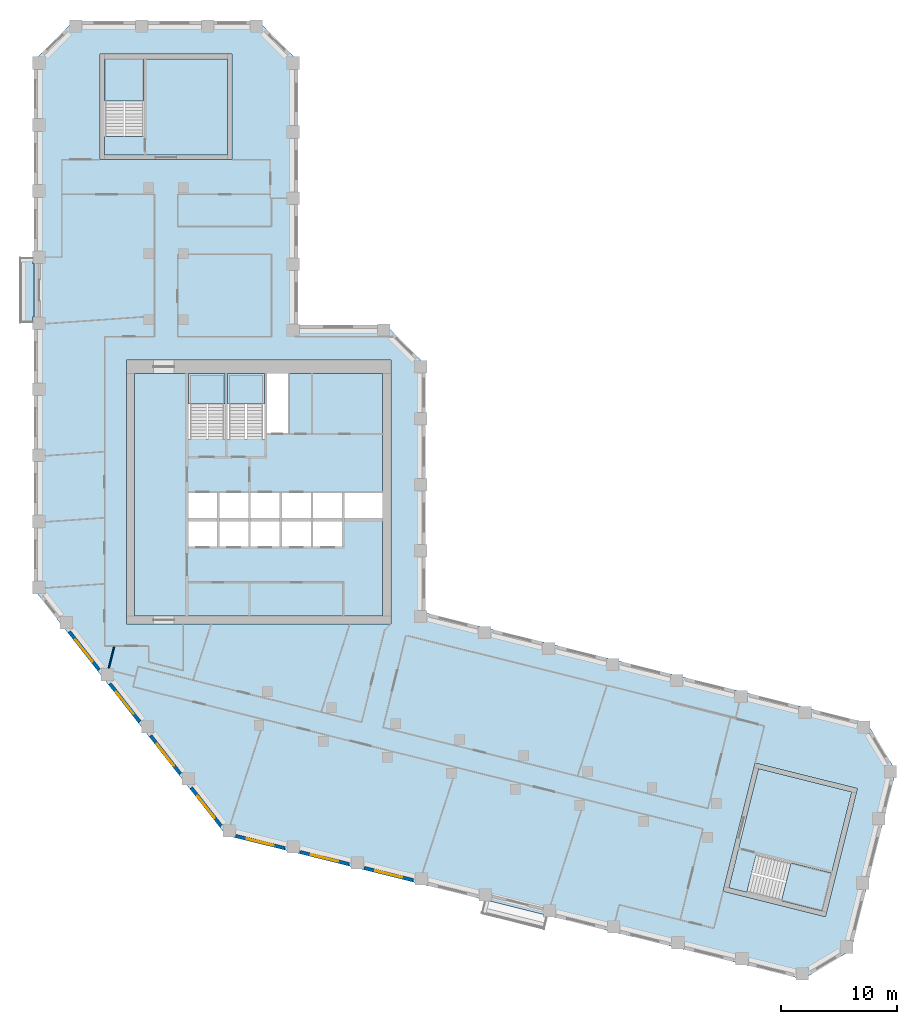
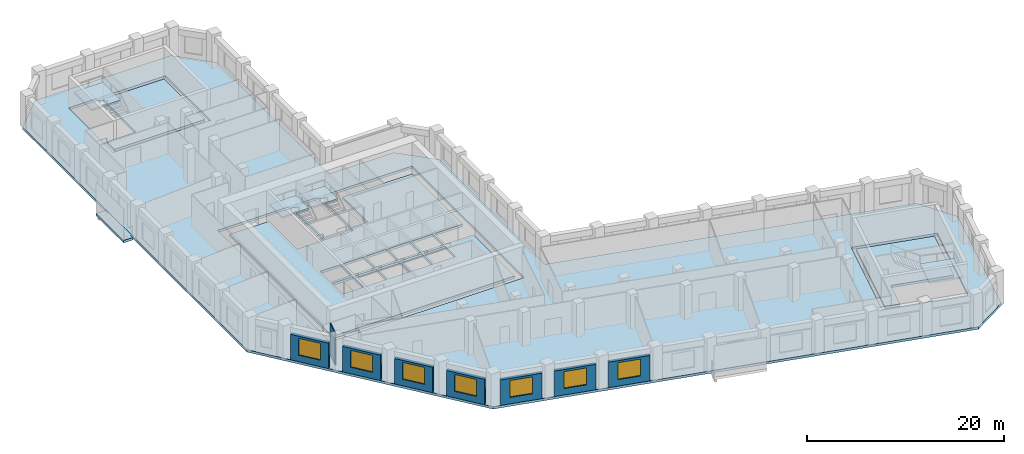
# One storey, part 2 of 10: 9 slabs, 8 walls, 7 windows, 7 openings, 4 elements without a shape of their own.
"""IFC4 building model written with IfcOpenShell, lengths in metres."""

from ifc_helpers import new_model, si_unit, direction, frame, frame_2d, origin, place, context, subcontext, project, spatial, polyline, rectangle, outline, extrude, material, layer, layer_set, type_object, element, fill, aggregate, save


model = new_model("IFC4")

# Units and contexts
model_context = context("Model", 3, precision=1e-05, world=origin(), true_north=direction((0.0, 1.0)))
body_context = subcontext(model_context, "Body", "Model", "MODEL_VIEW")
ifc_project = project(units=[si_unit("LENGTHUNIT", "METRE"), si_unit("AREAUNIT", "SQUARE_METRE"), si_unit("VOLUMEUNIT", "CUBIC_METRE"), si_unit("PLANEANGLEUNIT", "RADIAN"), si_unit("MASSUNIT", "GRAM", prefix="KILO")], contexts=[model_context])

# Site, building, storey
site_placement = place(None, origin())
site = spatial("IfcSite", under=ifc_project, at=site_placement, CompositionType="ELEMENT")
building_placement = place(site_placement, origin())
building = spatial("IfcBuilding", under=site, at=building_placement, Name="Meshkara Civic Tower", CompositionType="ELEMENT")
storey_placement = place(building_placement, frame((0.0, 0.0, 238.199951171875)))
storey = spatial("IfcBuildingStorey", under=building, at=storey_placement, Name="L54", CompositionType="ELEMENT", Elevation=238.199951171875)

# Slabs
ifc_material_1 = material(Name="Concrete C40", Category="concrete")
ifc_layer_1 = layer(ifc_material_1, 0.300048828125)
ifc_layer_set_1 = layer_set([ifc_layer_1], Name="BALCONY SLAB")
slab_type_1 = type_object("IfcSlabType", Name="BALCONY SLAB", PredefinedType="FLOOR", material=ifc_layer_set_1)
slab_1_placement = place(storey_placement, frame((0.0, 0.0, -0.300048828125)))
element("IfcSlab", 1, at=slab_1_placement, inside=storey, type_object=slab_type_1, Name="Balcony slab", PredefinedType="FLOOR", context=body_context, shape_type="SweptSolid", body=[
    extrude(outline(polyline([(-1.199951171875, 40.114990234375), (-1.199951171875, 45.695068359375), (-0.10009765625, 45.695068359375), (-0.10009765625, 45.205078125), (0.0, 45.205078125), (0.0, 40.60498046875), (-0.10009765625, 40.60498046875), (-0.10009765625, 40.114990234375), (-1.199951171875, 40.114990234375)])), origin(), (0.0, 0.0, 1.0), 0.300048828125),
])
ifc_material_2 = material(Name="Concrete C40/50", Category="concrete")
ifc_layer_2 = layer(ifc_material_2, 0.300048828125)
ifc_layer_set_2 = layer_set([ifc_layer_2], Name="Core floor slab 300 C40/50")
slab_type_2 = type_object("IfcSlabType", Name="Core floor slab 300 C40/50", PredefinedType="FLOOR", material=ifc_layer_set_2)
slab_2_placement = place(storey_placement, frame((0.0, 0.0, -0.300048828125)))
element("IfcSlab", 2, at=slab_2_placement, inside=storey, type_object=slab_type_2, Name="Core floor K", PredefinedType="FLOOR", context=body_context, shape_type="SweptSolid", body=[
    extrude(outline(polyline([(8.699951171875, 35.699951171875), (13.35009765625, 35.699951171875), (13.35009765625, 30.00146484375), (16.5, 30.00146484375), (16.5, 35.699951171875), (16.699951171875, 35.699951171875), (16.699951171875, 30.00146484375), (19.89990234375, 30.00146484375), (19.89990234375, 35.699951171875), (20.10009765625, 35.699951171875), (20.10009765625, 30.574951171875), (21.925048828125, 30.574951171875), (21.925048828125, 35.699951171875), (30.10009765625, 35.699951171875), (30.10009765625, 25.39990234375), (26.800048828125, 25.39990234375), (26.800048828125, 23.25), (30.10009765625, 23.25), (30.10009765625, 14.800048828125), (8.699951171875, 14.800048828125), (8.699951171875, 35.699951171875)]), holes=[polyline([(15.800048828125, 22.949951171875), (13.35009765625, 22.949951171875), (13.35009765625, 20.800048828125), (15.800048828125, 20.800048828125), (15.800048828125, 22.949951171875)]), polyline([(16.0, 22.949951171875), (16.0, 20.800048828125), (18.5, 20.800048828125), (18.5, 22.949951171875), (16.0, 22.949951171875)]), polyline([(18.699951171875, 22.949951171875), (18.699951171875, 20.800048828125), (21.199951171875, 20.800048828125), (21.199951171875, 22.949951171875), (18.699951171875, 22.949951171875)]), polyline([(15.800048828125, 23.25), (15.800048828125, 25.39990234375), (13.35009765625, 25.39990234375), (13.35009765625, 23.25), (15.800048828125, 23.25)]), polyline([(16.0, 25.39990234375), (16.0, 23.25), (18.5, 23.25), (18.5, 25.39990234375), (16.0, 25.39990234375)]), polyline([(23.89990234375, 20.800048828125), (23.89990234375, 22.949951171875), (21.39990234375, 22.949951171875), (21.39990234375, 20.800048828125), (23.89990234375, 20.800048828125)]), polyline([(24.10009765625, 20.800048828125), (26.60009765625, 20.800048828125), (26.60009765625, 22.949951171875), (24.10009765625, 22.949951171875), (24.10009765625, 20.800048828125)]), polyline([(18.699951171875, 25.39990234375), (18.699951171875, 23.25), (21.199951171875, 23.25), (21.199951171875, 25.39990234375), (18.699951171875, 25.39990234375)]), polyline([(21.39990234375, 23.25), (23.89990234375, 23.25), (23.89990234375, 25.39990234375), (21.39990234375, 25.39990234375), (21.39990234375, 23.25)]), polyline([(24.10009765625, 23.25), (26.60009765625, 23.25), (26.60009765625, 25.39990234375), (24.10009765625, 25.39990234375), (24.10009765625, 23.25)])]), origin(), (0.0, 0.0, 1.0), 0.300048828125),
])
slab_3_placement = place(storey_placement, frame((0.0, 0.0, -0.300048828125)))
element("IfcSlab", 3, at=slab_3_placement, inside=storey, type_object=slab_type_2, Name="Core floor EA", PredefinedType="FLOOR", context=body_context, shape_type="SweptSolid", body=[
    extrude(outline(polyline([(16.699951171875, 54.570068359375), (16.699951171875, 62.8701171875), (9.5, 62.8701171875), (9.5, 56.17138671875), (6.10009765625, 56.17138671875), (6.10009765625, 54.570068359375), (16.699951171875, 54.570068359375)])), origin(), (0.0, 0.0, 1.0), 0.300048828125),
])
slab_4_placement = place(storey_placement, frame((0.0, 0.0, -0.300048828125)))
element("IfcSlab", 4, at=slab_4_placement, inside=storey, type_object=slab_type_2, Name="Core floor EB", PredefinedType="FLOOR", context=body_context, shape_type="SweptSolid", body=[
    extrude(outline(polyline([(62.519775390625, 1.623291015625), (70.5732421875, -0.384765625), (68.83154296875, -7.370849609375), (62.33203125, -5.750244140625), (61.50927734375, -9.04931640625), (59.95556640625, -8.661865234375), (62.519775390625, 1.623291015625)])), origin(), (0.0, 0.0, 1.0), 0.300048828125),
])

# Stair, slab
ifc_material_3 = material(Name="Precast concrete C40/50", Category="concrete")
stair_type_1 = type_object("IfcStairType", Name="Exit stair half-turn 24 risers precast", PredefinedType="HALF_TURN_STAIR", material=ifc_material_3)
stair_1_placement = place(storey_placement, origin())
stair_1 = element("IfcStair", 5, at=stair_1_placement, inside=storey, type_object=stair_type_1, Name="L54 exit stair 1", PredefinedType="HALF_TURN_STAIR")
ifc_material_4 = material(Name="Precast concrete C40/50", Category="concrete")
ifc_layer_3 = layer(ifc_material_4, 0.199951171875)
ifc_layer_set_3 = layer_set([ifc_layer_3], Name="Exit stair landing 200")
slab_type_3 = type_object("IfcSlabType", Name="Exit stair landing 200", PredefinedType="LANDING", material=ifc_layer_set_3)
slab_5_placement = place(storey_placement, frame((0.0, 0.0, 1.900146484375)))
slab_5 = element("IfcSlab", 6, at=slab_5_placement, type_object=slab_type_3, Name="ST1 landing 1", PredefinedType="LANDING", context=body_context, shape_type="SweptSolid", body=[
    extrude(outline(polyline([(16.5, 33.07861328125), (16.5, 35.699951171875), (13.35009765625, 35.699951171875), (13.35009765625, 33.07861328125), (16.5, 33.07861328125)])), origin(), (0.0, 0.0, 1.0), 0.199951171875),
])
aggregate(stair_1, [slab_5])

stair_2_placement = place(storey_placement, origin())
stair_2 = element("IfcStair", 7, at=stair_2_placement, inside=storey, type_object=stair_type_1, Name="L54 exit stair 2", PredefinedType="HALF_TURN_STAIR")
slab_6_placement = place(storey_placement, frame((0.0, 0.0, 1.900146484375)))
slab_6 = element("IfcSlab", 8, at=slab_6_placement, type_object=slab_type_3, Name="ST2 landing 1", PredefinedType="LANDING", context=body_context, shape_type="SweptSolid", body=[
    extrude(outline(polyline([(19.89990234375, 33.07861328125), (19.89990234375, 35.699951171875), (16.699951171875, 35.699951171875), (16.699951171875, 33.07861328125), (19.89990234375, 33.07861328125)])), origin(), (0.0, 0.0, 1.0), 0.199951171875),
])
aggregate(stair_2, [slab_6])

ifc_material_5 = material(Name="Precast concrete C40/50", Category="concrete")
stair_type_2 = type_object("IfcStairType", Name="Exit stair half-turn 24 risers 1600 precast", PredefinedType="HALF_TURN_STAIR", material=ifc_material_5)
stair_3_placement = place(storey_placement, origin())
stair_3 = element("IfcStair", 9, at=stair_3_placement, inside=storey, type_object=stair_type_2, Name="L54 exit stair A from L50", PredefinedType="HALF_TURN_STAIR")
slab_7_placement = place(storey_placement, frame((0.0, 0.0, 1.900146484375)))
slab_7 = element("IfcSlab", 10, at=slab_7_placement, type_object=slab_type_3, Name="ESA4 landing 1", PredefinedType="LANDING", context=body_context, shape_type="SweptSolid", body=[
    extrude(outline(polyline([(9.5, 59.24853515625), (9.5, 62.8701171875), (6.10009765625, 62.8701171875), (6.10009765625, 59.24853515625), (9.5, 59.24853515625)])), origin(), (0.0, 0.0, 1.0), 0.199951171875),
])
aggregate(stair_3, [slab_7])

stair_4_placement = place(storey_placement, origin())
stair_4 = element("IfcStair", 11, at=stair_4_placement, inside=storey, type_object=stair_type_2, Name="L54 exit stair B from L50", PredefinedType="HALF_TURN_STAIR")
slab_8_placement = place(storey_placement, frame((0.0, 0.0, 1.900146484375)))
slab_8 = element("IfcSlab", 12, at=slab_8_placement, type_object=slab_type_3, Name="ESB4 landing 1", PredefinedType="LANDING", context=body_context, shape_type="SweptSolid", body=[
    extrude(outline(polyline([(64.49462890625, -9.794677734375), (68.0087890625, -10.67138671875), (68.83203125, -7.371337890625), (65.318115234375, -6.49462890625), (64.49462890625, -9.794677734375)])), origin(), (0.0, 0.0, 1.0), 0.199951171875),
])
aggregate(stair_4, [slab_8])

# Slab
ifc_material_6 = material(Name="Concrete C50", Category="concrete")
ifc_layer_4 = layer(ifc_material_6, 0.300048828125)
ifc_layer_set_4 = layer_set([ifc_layer_4], Name="Post-tensioned flat slab 300 C50")
slab_type_4 = type_object("IfcSlabType", Name="Post-tensioned flat slab 300 C50", PredefinedType="FLOOR", material=ifc_layer_set_4)
slab_9_placement = place(storey_placement, frame((0.0, 0.0, -0.300048828125)))
element("IfcSlab", 13, at=slab_9_placement, inside=storey, type_object=slab_type_4, Name="Post-tensioned flat slab L54", PredefinedType="FLOOR", context=body_context, shape_type="SweptSolid", body=[
    extrude(outline(polyline([(70.513916015625, -14.055908203125), (66.367919921875, -16.547119140625), (16.592041015625, -4.136962890625), (0.0, 17.10009765625), (0.0, 62.699951171875), (3.419921875, 66.1201171875), (19.3798828125, 66.1201171875), (22.800048828125, 62.699951171875), (22.800048828125, 39.89990234375), (30.3798828125, 39.89990234375), (33.800048828125, 36.47998046875), (33.800048828125, 15.071044921875), (71.884033203125, 5.574951171875), (74.375, 1.429931640625), (70.513916015625, -14.055908203125)]), holes=[polyline([(68.300048828125, -11.155029296875), (71.05810546875, -0.093017578125), (62.22802734375, 2.10791015625), (59.470947265625, -8.952880859375), (68.300048828125, -11.155029296875)]), polyline([(8.0, 14.10009765625), (30.800048828125, 14.10009765625), (30.800048828125, 36.89990234375), (8.0, 36.89990234375), (8.0, 14.10009765625)]), polyline([(5.699951171875, 63.27001953125), (5.699951171875, 54.169921875), (17.10009765625, 54.169921875), (17.10009765625, 63.27001953125), (5.699951171875, 63.27001953125)])]), origin(), (0.0, 0.0, 1.0), 0.300048828125),
])

# Wall, opening, window
ifc_material_7 = material(Name="Insulated infill panel with bronze anodised aluminium cladding", Category="aluminium")
ifc_layer_5 = layer(ifc_material_7, 0.300048828125)
ifc_layer_set_5 = layer_set([ifc_layer_5], Name="EXTERNAL INFILL WALL 300")
wall_type_1 = type_object("IfcWallType", Name="EXTERNAL INFILL WALL 300", PredefinedType="SOLIDWALL", material=ifc_layer_set_5)
wall_1_placement = place(storey_placement, frame((3.052978515625, 13.43603515625, 0.0), z_axis=(0.0, 0.0, 1.0), x_axis=(0.615699893917, -0.787980736205, 0.0)))
wall_1 = element("IfcWall", 14, at=wall_1_placement, inside=storey, type_object=wall_type_1, Name="External wall", PredefinedType="SOLIDWALL", context=body_context, shape_type="SweptSolid", body=[
    extrude(rectangle(XDim=4.156494140625, YDim=0.300048828125, at=frame_2d((2.078125, 0.0))), origin(), (0.0, 0.0, 1.0), 3.150146484375),
])
opening_1_placement = place(wall_1_placement, frame((0.8779296875, 0.0, 0.800048828125)))
opening_1 = element("IfcOpeningElement", 15, at=opening_1_placement, cuts=wall_1, Name="Opening W7", PredefinedType="OPENING", context=body_context, shape_type="SweptSolid", body=[
    extrude(rectangle(XDim=2.39990234375, YDim=2.10009765625, at=frame_2d((1.199951171875, 1.050048828125))), frame((0.0, 0.159912109375, 0.0), z_axis=(0.0, -1.0, 0.0), x_axis=(1.0, 0.0, 0.0)), (0.0, 0.0, 1.0), 0.320068359375),
])
ifc_material_8 = material(Name="Tinted double glazing", Category="glass")
window_type = type_object("IfcWindowType", Name="WINDOW 2400x2100", PartitioningType="DOUBLE_PANEL_VERTICAL", PredefinedType="WINDOW", material=ifc_material_8)
window_1_placement = place(opening_1_placement, origin())
window_1 = element("IfcWindow", 16, at=window_1_placement, inside=storey, type_object=window_type, Name="Window", OverallHeight=2.10009765625, OverallWidth=2.39990234375, PartitioningType="DOUBLE_PANEL_VERTICAL", PredefinedType="WINDOW", context=body_context, shape_type="SweptSolid", body=[
    extrude(rectangle(XDim=2.39990234375, YDim=2.10009765625, at=frame_2d((1.199951171875, 1.050048828125))), frame((0.0, 0.030029296875, 0.0), z_axis=(0.0, -1.0, 0.0), x_axis=(1.0, 0.0, 0.0)), (0.0, 0.0, 1.0), 0.06005859375),
])
fill(opening_1, window_1)

wall_2_placement = place(storey_placement, frame((6.56201171875, 8.944091796875, 0.0), z_axis=(0.0, 0.0, 1.0), x_axis=(0.615699893917, -0.787980736205, 0.0)))
wall_2 = element("IfcWall", 17, at=wall_2_placement, inside=storey, type_object=wall_type_1, Name="External wall", PredefinedType="SOLIDWALL", context=body_context, shape_type="SweptSolid", body=[
    extrude(rectangle(XDim=4.156494140625, YDim=0.300048828125, at=frame_2d((2.078125, 0.0))), origin(), (0.0, 0.0, 1.0), 3.150146484375),
])
opening_2_placement = place(wall_2_placement, frame((0.8779296875, 0.0, 0.800048828125)))
opening_2 = element("IfcOpeningElement", 18, at=opening_2_placement, cuts=wall_2, Name="Opening W7", PredefinedType="OPENING", context=body_context, shape_type="SweptSolid", body=[
    extrude(rectangle(XDim=2.39990234375, YDim=2.10009765625, at=frame_2d((1.199951171875, 1.050048828125))), frame((0.0, 0.159912109375, 0.0), z_axis=(0.0, -1.0, 0.0), x_axis=(1.0, 0.0, 0.0)), (0.0, 0.0, 1.0), 0.320068359375),
])
window_2_placement = place(opening_2_placement, origin())
window_2 = element("IfcWindow", 19, at=window_2_placement, inside=storey, type_object=window_type, Name="Window", OverallHeight=2.10009765625, OverallWidth=2.39990234375, PartitioningType="DOUBLE_PANEL_VERTICAL", PredefinedType="WINDOW", context=body_context, shape_type="SweptSolid", body=[
    extrude(rectangle(XDim=2.39990234375, YDim=2.10009765625, at=frame_2d((1.199951171875, 1.050048828125))), frame((0.0, 0.030029296875, 0.0), z_axis=(0.0, -1.0, 0.0), x_axis=(1.0, 0.0, 0.0)), (0.0, 0.0, 1.0), 0.06005859375),
])
fill(opening_2, window_2)

wall_3_placement = place(storey_placement, frame((10.072021484375, 4.451904296875, 0.0), z_axis=(0.0, 0.0, 1.0), x_axis=(0.615660006568, -0.788011901124, 0.0)))
wall_3 = element("IfcWall", 20, at=wall_3_placement, inside=storey, type_object=wall_type_1, Name="External wall", PredefinedType="SOLIDWALL", context=body_context, shape_type="SweptSolid", body=[
    extrude(rectangle(XDim=4.15478515625, YDim=0.300048828125, at=frame_2d((2.077392578125, 0.0))), origin(), (0.0, 0.0, 1.0), 3.150146484375),
])
opening_3_placement = place(wall_3_placement, frame((0.8779296875, 0.0, 0.800048828125)))
opening_3 = element("IfcOpeningElement", 21, at=opening_3_placement, cuts=wall_3, Name="Opening W7", PredefinedType="OPENING", context=body_context, shape_type="SweptSolid", body=[
    extrude(rectangle(XDim=2.39990234375, YDim=2.10009765625, at=frame_2d((1.199951171875, 1.050048828125))), frame((0.0, 0.159912109375, 0.0), z_axis=(0.0, -1.0, 0.0), x_axis=(1.0, 0.0, 0.0)), (0.0, 0.0, 1.0), 0.320068359375),
])
window_3_placement = place(opening_3_placement, origin())
window_3 = element("IfcWindow", 22, at=window_3_placement, inside=storey, type_object=window_type, Name="Window", OverallHeight=2.10009765625, OverallWidth=2.39990234375, PartitioningType="DOUBLE_PANEL_VERTICAL", PredefinedType="WINDOW", context=body_context, shape_type="SweptSolid", body=[
    extrude(rectangle(XDim=2.39990234375, YDim=2.10009765625, at=frame_2d((1.199951171875, 1.050048828125))), frame((0.0, 0.030029296875, 0.0), z_axis=(0.0, -1.0, 0.0), x_axis=(1.0, 0.0, 0.0)), (0.0, 0.0, 1.0), 0.06005859375),
])
fill(opening_3, window_3)

wall_4_placement = place(storey_placement, frame((13.5810546875, -0.0390625, 0.0), z_axis=(0.0, 0.0, 1.0), x_axis=(0.615545986363, -0.788100969846, 0.0)))
wall_4 = element("IfcWall", 23, at=wall_4_placement, inside=storey, type_object=wall_type_1, Name="External wall", PredefinedType="SOLIDWALL", context=body_context, shape_type="SweptSolid", body=[
    extrude(rectangle(XDim=4.155517578125, YDim=0.300048828125, at=frame_2d((2.07763671875, 0.0))), origin(), (0.0, 0.0, 1.0), 3.150146484375),
])
opening_4_placement = place(wall_4_placement, frame((0.8779296875, 0.0, 0.800048828125)))
opening_4 = element("IfcOpeningElement", 24, at=opening_4_placement, cuts=wall_4, Name="Opening W7", PredefinedType="OPENING", context=body_context, shape_type="SweptSolid", body=[
    extrude(rectangle(XDim=2.39990234375, YDim=2.10009765625, at=frame_2d((1.199951171875, 1.050048828125))), frame((0.0, 0.159912109375, 0.0), z_axis=(0.0, -1.0, 0.0), x_axis=(1.0, 0.0, 0.0)), (0.0, 0.0, 1.0), 0.320068359375),
])
window_4_placement = place(opening_4_placement, origin())
window_4 = element("IfcWindow", 25, at=window_4_placement, inside=storey, type_object=window_type, Name="Window", OverallHeight=2.10009765625, OverallWidth=2.39990234375, PartitioningType="DOUBLE_PANEL_VERTICAL", PredefinedType="WINDOW", context=body_context, shape_type="SweptSolid", body=[
    extrude(rectangle(XDim=2.39990234375, YDim=2.10009765625, at=frame_2d((1.199951171875, 1.050048828125))), frame((0.0, 0.030029296875, 0.0), z_axis=(0.0, -1.0, 0.0), x_axis=(1.0, 0.0, 0.0)), (0.0, 0.0, 1.0), 0.06005859375),
])
fill(opening_4, window_4)

wall_5_placement = place(storey_placement, frame((17.425048828125, -4.18994140625, 0.0), z_axis=(0.0, 0.0, 1.0), x_axis=(0.970270592847, -0.242022677978, 0.0)))
wall_5 = element("IfcWall", 26, at=wall_5_placement, inside=storey, type_object=wall_type_1, Name="External wall", PredefinedType="SOLIDWALL", context=body_context, shape_type="SweptSolid", body=[
    extrude(rectangle(XDim=4.367919921875, YDim=0.300048828125, at=frame_2d((2.18408203125, 0.0))), origin(), (0.0, 0.0, 1.0), 3.150146484375),
])
opening_5_placement = place(wall_5_placement, frame((0.98291015625, 0.0, 0.800048828125)))
opening_5 = element("IfcOpeningElement", 27, at=opening_5_placement, cuts=wall_5, Name="Opening W7", PredefinedType="OPENING", context=body_context, shape_type="SweptSolid", body=[
    extrude(rectangle(XDim=2.39990234375, YDim=2.10009765625, at=frame_2d((1.199951171875, 1.050048828125))), frame((0.0, 0.159912109375, 0.0), z_axis=(0.0, -1.0, 0.0), x_axis=(1.0, 0.0, 0.0)), (0.0, 0.0, 1.0), 0.320068359375),
])
window_5_placement = place(opening_5_placement, origin())
window_5 = element("IfcWindow", 28, at=window_5_placement, inside=storey, type_object=window_type, Name="Window", OverallHeight=2.10009765625, OverallWidth=2.39990234375, PartitioningType="DOUBLE_PANEL_VERTICAL", PredefinedType="WINDOW", context=body_context, shape_type="SweptSolid", body=[
    extrude(rectangle(XDim=2.39990234375, YDim=2.10009765625, at=frame_2d((1.199951171875, 1.050048828125))), frame((0.0, 0.030029296875, 0.0), z_axis=(0.0, -1.0, 0.0), x_axis=(1.0, 0.0, 0.0)), (0.0, 0.0, 1.0), 0.06005859375),
])
fill(opening_5, window_5)

wall_6_placement = place(storey_placement, frame((22.9560546875, -5.569091796875, 0.0), z_axis=(0.0, 0.0, 1.0), x_axis=(0.970323116569, -0.241812012628, 0.0)))
wall_6 = element("IfcWall", 29, at=wall_6_placement, inside=storey, type_object=wall_type_1, Name="External wall", PredefinedType="SOLIDWALL", context=body_context, shape_type="SweptSolid", body=[
    extrude(rectangle(XDim=4.36669921875, YDim=0.300048828125, at=frame_2d((2.183349609375, 0.0))), origin(), (0.0, 0.0, 1.0), 3.150146484375),
])
opening_6_placement = place(wall_6_placement, frame((0.98291015625, 0.0, 0.800048828125)))
opening_6 = element("IfcOpeningElement", 30, at=opening_6_placement, cuts=wall_6, Name="Opening W7", PredefinedType="OPENING", context=body_context, shape_type="SweptSolid", body=[
    extrude(rectangle(XDim=2.39990234375, YDim=2.10009765625, at=frame_2d((1.199951171875, 1.050048828125))), frame((0.0, 0.159912109375, 0.0), z_axis=(0.0, -1.0, 0.0), x_axis=(1.0, 0.0, 0.0)), (0.0, 0.0, 1.0), 0.320068359375),
])
window_6_placement = place(opening_6_placement, origin())
window_6 = element("IfcWindow", 31, at=window_6_placement, inside=storey, type_object=window_type, Name="Window", OverallHeight=2.10009765625, OverallWidth=2.39990234375, PartitioningType="DOUBLE_PANEL_VERTICAL", PredefinedType="WINDOW", context=body_context, shape_type="SweptSolid", body=[
    extrude(rectangle(XDim=2.39990234375, YDim=2.10009765625, at=frame_2d((1.199951171875, 1.050048828125))), frame((0.0, 0.030029296875, 0.0), z_axis=(0.0, -1.0, 0.0), x_axis=(1.0, 0.0, 0.0)), (0.0, 0.0, 1.0), 0.06005859375),
])
fill(opening_6, window_6)

wall_7_placement = place(storey_placement, frame((28.486083984375, -6.947998046875, 0.0), z_axis=(0.0, 0.0, 1.0), x_axis=(0.970336189295, -0.241759549438, 0.0)))
wall_7 = element("IfcWall", 32, at=wall_7_placement, inside=storey, type_object=wall_type_1, Name="External wall", PredefinedType="SOLIDWALL", context=body_context, shape_type="SweptSolid", body=[
    extrude(rectangle(XDim=4.36767578125, YDim=0.300048828125, at=frame_2d((2.183837890625, 0.0))), origin(), (0.0, 0.0, 1.0), 3.150146484375),
])
opening_7_placement = place(wall_7_placement, frame((0.98291015625, 0.0, 0.800048828125)))
opening_7 = element("IfcOpeningElement", 33, at=opening_7_placement, cuts=wall_7, Name="Opening W7", PredefinedType="OPENING", context=body_context, shape_type="SweptSolid", body=[
    extrude(rectangle(XDim=2.39990234375, YDim=2.10009765625, at=frame_2d((1.199951171875, 1.050048828125))), frame((0.0, 0.159912109375, 0.0), z_axis=(0.0, -1.0, 0.0), x_axis=(1.0, 0.0, 0.0)), (0.0, 0.0, 1.0), 0.320068359375),
])
window_7_placement = place(opening_7_placement, origin())
window_7 = element("IfcWindow", 34, at=window_7_placement, inside=storey, type_object=window_type, Name="Window", OverallHeight=2.10009765625, OverallWidth=2.39990234375, PartitioningType="DOUBLE_PANEL_VERTICAL", PredefinedType="WINDOW", context=body_context, shape_type="SweptSolid", body=[
    extrude(rectangle(XDim=2.39990234375, YDim=2.10009765625, at=frame_2d((1.199951171875, 1.050048828125))), frame((0.0, 0.030029296875, 0.0), z_axis=(0.0, -1.0, 0.0), x_axis=(1.0, 0.0, 0.0)), (0.0, 0.0, 1.0), 0.06005859375),
])
fill(opening_7, window_7)

# Wall
ifc_material_9 = material(Name="Partition 100")
ifc_layer_6 = layer(ifc_material_9, 0.10009765625)
ifc_layer_set_6 = layer_set([ifc_layer_6], Name="Partition 100")
wall_type_2 = type_object("IfcWallType", Name="Partition 100", PredefinedType="PARTITIONING", material=ifc_layer_set_6)
wall_8_placement = place(storey_placement, frame((6.922119140625, 12.137939453125, 0.0), z_axis=(0.0, 0.0, 1.0), x_axis=(-0.242264600824, -0.970210215978, 0.0)))
element("IfcWall", 35, at=wall_8_placement, inside=storey, type_object=wall_type_2, Name="L54-W043", PredefinedType="PARTITIONING", context=body_context, shape_type="SweptSolid", body=[
    extrude(rectangle(XDim=1.90771484375, YDim=0.10009765625, at=frame_2d((0.953857421875, 0.0))), origin(), (0.0, 0.0, 1.0), 3.900146484375),
])

save(model, "model.ifc")
